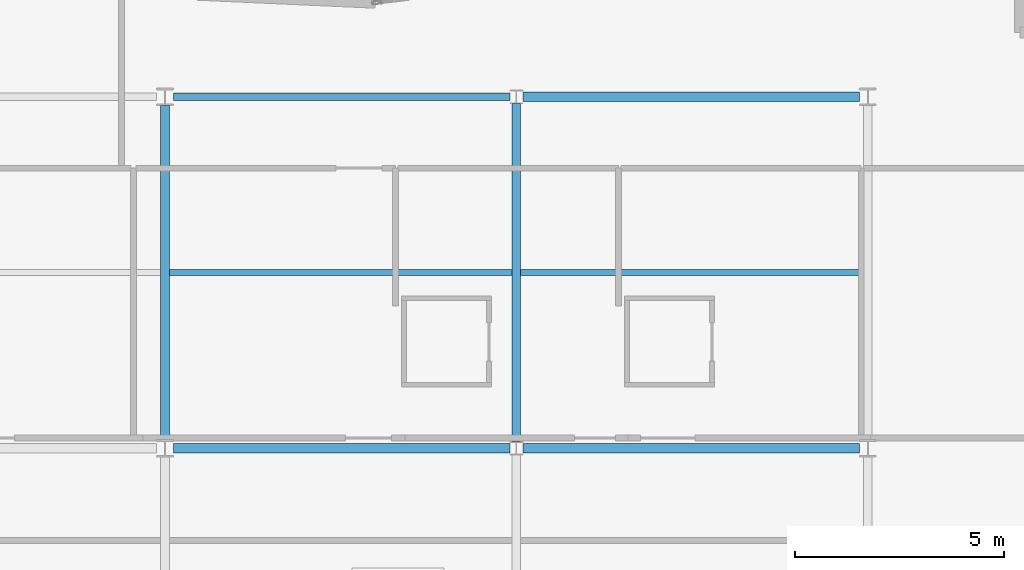
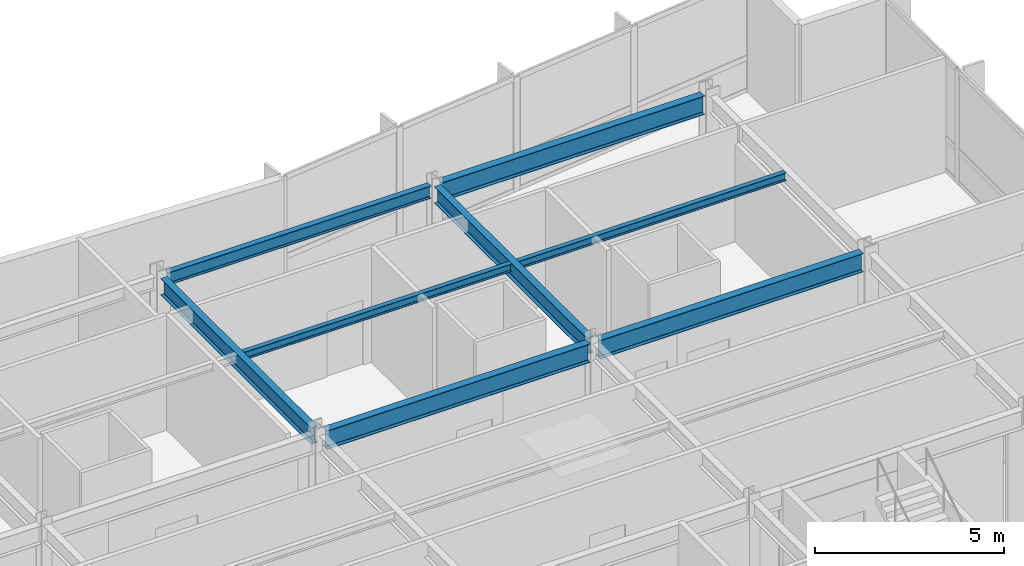
# One storey, part 6 of 18: 8 beams.
"""IFC4 building model written with IfcOpenShell, lengths in metres."""

from ifc_helpers import new_model, si_unit, direction, frame, origin, origin_2d, place, context, subcontext, project, spatial, i_section, extrude, material, material_profile, profile_set, type_object, element, save


model = new_model("IFC4")

# Units and contexts
model_context = context("Model", 3, precision=1e-05, world=origin(), true_north=direction((0.0, 1.0)))
body_context = subcontext(model_context, "Body", "Model", "MODEL_VIEW")
ifc_project = project(units=[si_unit("LENGTHUNIT", "METRE"), si_unit("AREAUNIT", "SQUARE_METRE"), si_unit("VOLUMEUNIT", "CUBIC_METRE"), si_unit("PLANEANGLEUNIT", "RADIAN"), si_unit("MASSUNIT", "GRAM", prefix="KILO")], contexts=[model_context])

# Site, building, storey
site_placement = place(None, origin())
site = spatial("IfcSite", under=ifc_project, at=site_placement, CompositionType="ELEMENT")
building_placement = place(site_placement, origin())
building = spatial("IfcBuilding", under=site, at=building_placement, Name="Varnakote Quay Hospital", CompositionType="ELEMENT")
storey_placement = place(building_placement, frame((0.0, 0.0, 138.89990234375)))
storey = spatial("IfcBuildingStorey", under=building, at=storey_placement, Name="L34", CompositionType="ELEMENT", Elevation=138.89990234375)

# Beams
ifc_material_1 = material(Name="Structural steel AS/NZS 3679.1 Grade 350 L0 (fy 340 MPa)", Category="steel")
ifc_material_profile_1 = material_profile(ifc_material_1, i_section(OverallWidth=0.208984375, OverallDepth=0.532958984375, WebThickness=0.01025390625, FlangeThickness=0.015625, FilletRadius=0.013916015625, at=origin_2d()), Name="530UB92.4")
ifc_profile_set_1 = profile_set([ifc_material_profile_1], Name="Structural steel AS/NZS 3679.1 Grade 350 L0 (fy 340 MPa)")
beam_type_1 = type_object("IfcBeamType", Name="BM-STL-530UB92-4", PredefinedType="BEAM", material=ifc_profile_set_1)
beam_1_placement = place(storey_placement, frame((33.60009765625, 20.610107421875, 3.443603515625), z_axis=(0.0, 1.0, 0.0), x_axis=(-1.0, 0.0, 0.0)))
element("IfcBeam", 1, at=beam_1_placement, inside=storey, type_object=beam_type_1, Name="L34 Primary Tie Beam", PredefinedType="BEAM", context=body_context, shape_type="SweptSolid", body=[
    extrude(i_section(OverallWidth=0.208984375, OverallDepth=0.532958984375, WebThickness=0.01025390625, FlangeThickness=0.015625, FilletRadius=0.013916015625, at=origin_2d()), origin(), (0.0, 0.0, 1.0), 7.97998046875),
])
beam_2_placement = place(storey_placement, frame((42.0, 20.560546875, 3.443603515625), z_axis=(0.0, 1.0, 0.0), x_axis=(-1.0, 0.0, 0.0)))
element("IfcBeam", 2, at=beam_2_placement, inside=storey, type_object=beam_type_1, Name="L34 Primary Tie Beam", PredefinedType="BEAM", context=body_context, shape_type="SweptSolid", body=[
    extrude(i_section(OverallWidth=0.208984375, OverallDepth=0.532958984375, WebThickness=0.01025390625, FlangeThickness=0.015625, FilletRadius=0.013916015625, at=origin_2d()), origin(), (0.0, 0.0, 1.0), 8.078857421875),
])
ifc_material_2 = material(Name="Structural steel AS/NZS 3679.1 Grade 350 L0 (fy 340 MPa)", Category="steel")
ifc_material_profile_2 = material_profile(ifc_material_2, i_section(OverallWidth=0.22802734375, OverallDepth=0.60205078125, WebThickness=0.010498046875, FlangeThickness=0.014892578125, FilletRadius=0.013916015625, at=origin_2d()), Name="610UB101")
ifc_profile_set_2 = profile_set([ifc_material_profile_2], Name="Structural steel AS/NZS 3679.1 Grade 350 L0 (fy 340 MPa)")
beam_type_2 = type_object("IfcBeamType", Name="BM-STL-610UB101", PredefinedType="BEAM", material=ifc_profile_set_2)
for number, where, z_axis, x_axis, name in (
    (3, (33.800048828125, 20.39990234375, 3.4091796875), (1.0, 0.0, 0.0), (0.0, 1.0, 0.0), "L34 Primary Floor Beam"),
    (4, (42.154541015625, 20.39990234375, 3.4091796875), (1.0, 0.0, 0.0), (0.0, 1.0, 0.0), "L34 Primary Floor Beam"),
    (5, (42.154541015625, 28.800048828125, 3.4091796875), (1.0, 0.0, 0.0), (0.0, 1.0, 0.0), "L34 Primary Floor Beam"),
):
    element("IfcBeam", number, at=place(storey_placement, frame(where, z_axis=z_axis, x_axis=x_axis)), inside=storey, type_object=beam_type_2, Name=name, PredefinedType="BEAM", context=body_context, shape_type="SweptSolid", body=[
        extrude(i_section(OverallWidth=0.22802734375, OverallDepth=0.60205078125, WebThickness=0.010498046875, FlangeThickness=0.014892578125, FilletRadius=0.013916015625, at=origin_2d()), origin(), (0.0, 0.0, 1.0), 8.04541015625),
    ])
ifc_material_3 = material(Name="Structural steel AS/NZS 3679.1 Grade 350 L0 (fy 340 MPa)", Category="steel")
ifc_material_profile_3 = material_profile(ifc_material_3, i_section(OverallWidth=0.14599609375, OverallDepth=0.256103515625, WebThickness=0.00634765625, FlangeThickness=0.010986328125, FilletRadius=0.0087890625, at=origin_2d()), Name="250UB37.3")
ifc_profile_set_3 = profile_set([ifc_material_profile_3], Name="Structural steel AS/NZS 3679.1 Grade 350 L0 (fy 340 MPa)")
beam_type_3 = type_object("IfcBeamType", Name="JST-STL-250UB37-3", PredefinedType="JOIST", material=ifc_profile_set_3)
for number, where, z_axis, x_axis, name in (
    (6, (33.70458984375, 24.60009765625, 3.58203125), (1.0, 0.0, 0.0), (0.0, 1.0, 0.0), "L34 Composite Floor Joist"),
    (7, (42.1044921875, 24.60009765625, 3.58203125), (1.0, 0.0, 0.0), (0.0, 1.0, 0.0), "L34 Composite Floor Joist"),
):
    element("IfcBeam", number, at=place(storey_placement, frame(where, z_axis=z_axis, x_axis=x_axis)), inside=storey, type_object=beam_type_3, Name=name, PredefinedType="JOIST", context=body_context, shape_type="SweptSolid", body=[
        extrude(i_section(OverallWidth=0.14599609375, OverallDepth=0.256103515625, WebThickness=0.00634765625, FlangeThickness=0.010986328125, FilletRadius=0.0087890625, at=origin_2d()), origin(), (0.0, 0.0, 1.0), 8.19091796875),
    ])
ifc_material_4 = material(Name="Structural steel AS/NZS 3679.1 Grade 350 L0 (fy 340 MPa)", Category="steel")
ifc_material_profile_4 = material_profile(ifc_material_4, i_section(OverallWidth=0.177978515625, OverallDepth=0.406005859375, WebThickness=0.0078125, FlangeThickness=0.0126953125, FilletRadius=0.011474609375, at=origin_2d()), Name="410UB59.7")
ifc_profile_set_4 = profile_set([ifc_material_profile_4], Name="Structural steel AS/NZS 3679.1 Grade 350 L0 (fy 340 MPa)")
beam_type_4 = type_object("IfcBeamType", Name="SPN-STL-410UB59-7", PredefinedType="SPANDREL", material=ifc_profile_set_4)
beam_3_placement = place(storey_placement, frame((33.800048828125, 28.800048828125, 3.507080078125), z_axis=(1.0, 0.0, 0.0), x_axis=(0.0, 1.0, 0.0)))
element("IfcBeam", 8, at=beam_3_placement, inside=storey, type_object=beam_type_4, Name="L34 Perimeter Spandrel Beam", PredefinedType="SPANDREL", context=body_context, shape_type="SweptSolid", body=[
    extrude(i_section(OverallWidth=0.177978515625, OverallDepth=0.406005859375, WebThickness=0.0078125, FlangeThickness=0.0126953125, FilletRadius=0.011474609375, at=origin_2d()), origin(), (0.0, 0.0, 1.0), 8.04541015625),
])

save(model, "model.ifc")
